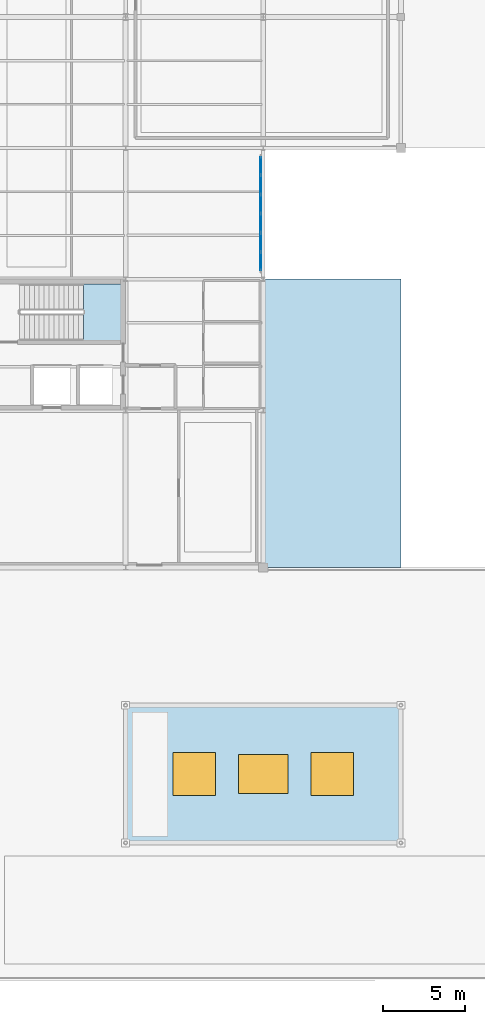
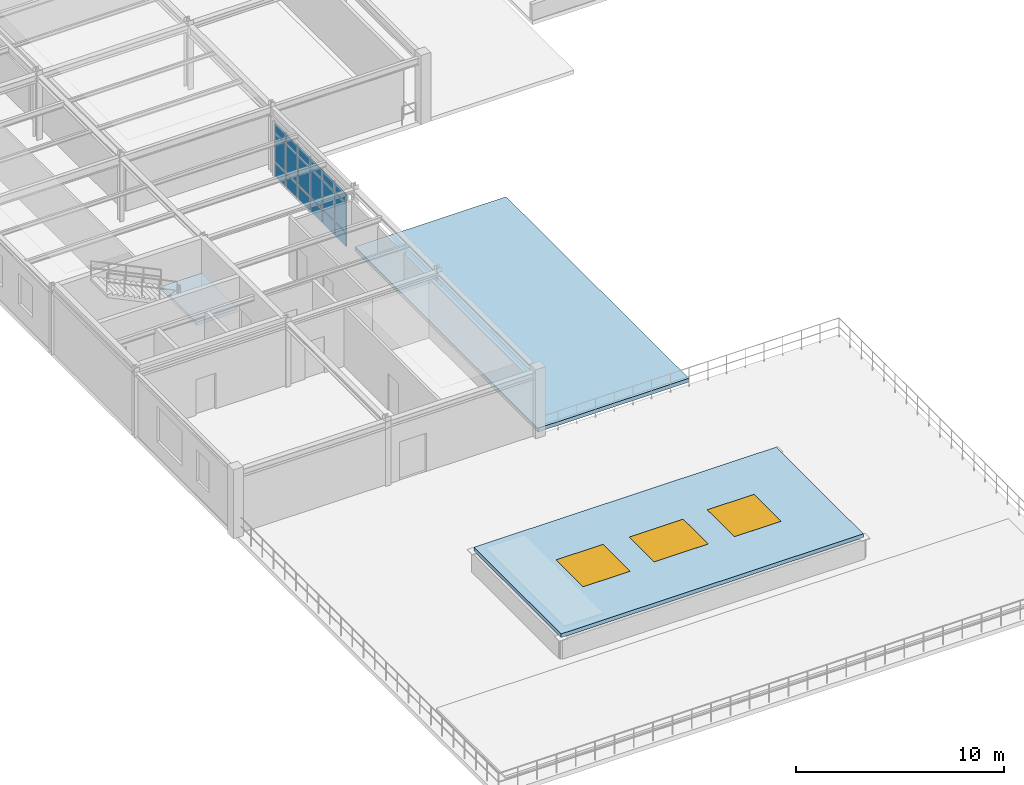
# One storey, part 40 of 70: 18 plates, 3 slabs, 3 windows, 3 openings, 2 elements without a shape of their own.
"""IFC4 building model written with IfcOpenShell, lengths in metres."""

from ifc_helpers import new_model, si_unit, derived_unit, direction, frame, origin, origin_2d, place, context, subcontext, project, spatial, polyline, rectangle, outline, extrude, material, layer, layer_set, type_object, element, fill, aggregate, save


model = new_model("IFC4")

# Units and contexts
model_context = context("Model", 3, precision=1e-05, world=origin(), true_north=direction((0.0, 1.0)))
body_context = subcontext(model_context, "Body", "Model", "MODEL_VIEW")
ifc_project = project(units=[si_unit("LENGTHUNIT", "METRE"), si_unit("AREAUNIT", "SQUARE_METRE"), si_unit("VOLUMEUNIT", "CUBIC_METRE"), si_unit("PLANEANGLEUNIT", "RADIAN"), si_unit("MASSUNIT", "GRAM", prefix="KILO"), derived_unit("THERMALTRANSMITTANCEUNIT", [(si_unit("POWERUNIT", "WATT"), 1), (si_unit("AREAUNIT", "SQUARE_METRE"), -1), (si_unit("THERMODYNAMICTEMPERATUREUNIT", "KELVIN"), -1)])], contexts=[model_context])

# Site, building, storey
site_placement = place(None, origin())
site = spatial("IfcSite", under=ifc_project, at=site_placement, CompositionType="ELEMENT")
building_placement = place(site_placement, origin())
building = spatial("IfcBuilding", under=site, at=building_placement, Name="Yasenodar Specialist Clinic", CompositionType="ELEMENT")
storey_placement = place(building_placement, frame((0.0, 0.0, 13.199951171875)))
storey = spatial("IfcBuildingStorey", under=building, at=storey_placement, Name="L03", CompositionType="ELEMENT", Elevation=13.199951171875)

# Curtain wall, plates
ifc_material_1 = material(Name="Bronze Anodized Aluminium and Triple Low-E Glass", Category="aluminium")
ifc_layer_1 = layer(ifc_material_1, 0.202880859375)
ifc_layer_set_1 = layer_set([ifc_layer_1], Name="Bronze Anodized Aluminium and Triple Low-E Glass")
curtain_wall_type = type_object("IfcCurtainWallType", Name="CW-SYS-04", PredefinedType="USERDEFINED", material=ifc_layer_set_1)
curtain_wall_placement = place(storey_placement, origin())
curtain_wall = element("IfcCurtainWall", 1, at=curtain_wall_placement, inside=storey, type_object=curtain_wall_type, Name="L03 Unitised Curtain Wall 135", ObjectType="UNITISED CURTAIN WALL", PredefinedType="USERDEFINED")
ifc_material_2 = material(Name="Triple Low-E Argon Glazing", Category="glass")
ifc_layer_2 = layer(ifc_material_2, 0.0458984375)
ifc_layer_set_2 = layer_set([ifc_layer_2], Name="Triple Low-E Argon Glazing")
plate_type = type_object("IfcPlateType", Name="CW-PAN-4", PredefinedType="CURTAIN_PANEL", material=ifc_layer_set_2)
plate_1_placement = place(storey_placement, frame((16.64990234375, 49.714599609375, 0.074951171875), z_axis=(0.0, 0.0, 1.0), x_axis=(0.0, -1.0, 0.0)))
plate_1 = element("IfcPlate", 2, at=plate_1_placement, type_object=plate_type, Name="CW-04 panel 1.1", PredefinedType="CURTAIN_PANEL", context=body_context, shape_type="SweptSolid", body=[
    extrude(rectangle(XDim=1.060791015625, YDim=0.0458984375, at=origin_2d()), origin(), (0.0, 0.0, 1.0), 0.78759765625),
])
plate_2_placement = place(storey_placement, frame((16.64990234375, 49.714599609375, 0.9375), z_axis=(0.0, 0.0, 1.0), x_axis=(0.0, -1.0, 0.0)))
plate_2 = element("IfcPlate", 3, at=plate_2_placement, type_object=plate_type, Name="CW-04 panel 1.2", PredefinedType="CURTAIN_PANEL", context=body_context, shape_type="SweptSolid", body=[
    extrude(rectangle(XDim=1.060791015625, YDim=0.0458984375, at=origin_2d()), origin(), (0.0, 0.0, 1.0), 1.653076171875),
])
plate_3_placement = place(storey_placement, frame((16.64990234375, 49.714599609375, 2.66552734375), z_axis=(0.0, 0.0, 1.0), x_axis=(0.0, -1.0, 0.0)))
plate_3 = element("IfcPlate", 4, at=plate_3_placement, type_object=plate_type, Name="CW-04 panel 1.3", PredefinedType="CURTAIN_PANEL", context=body_context, shape_type="SweptSolid", body=[
    extrude(rectangle(XDim=1.060791015625, YDim=0.0458984375, at=origin_2d()), origin(), (0.0, 0.0, 1.0), 0.487548828125),
])
plate_4_placement = place(storey_placement, frame((16.64990234375, 48.56005859375, 0.074951171875), z_axis=(0.0, 0.0, 1.0), x_axis=(0.0, -1.0, 0.0)))
plate_4 = element("IfcPlate", 5, at=plate_4_placement, type_object=plate_type, Name="CW-04 panel 2.1", PredefinedType="CURTAIN_PANEL", context=body_context, shape_type="SweptSolid", body=[
    extrude(rectangle(XDim=1.098388671875, YDim=0.0458984375, at=origin_2d()), origin(), (0.0, 0.0, 1.0), 0.78759765625),
])
plate_5_placement = place(storey_placement, frame((16.64990234375, 48.56005859375, 0.9375), z_axis=(0.0, 0.0, 1.0), x_axis=(0.0, -1.0, 0.0)))
plate_5 = element("IfcPlate", 6, at=plate_5_placement, type_object=plate_type, Name="CW-04 panel 2.2", PredefinedType="CURTAIN_PANEL", context=body_context, shape_type="SweptSolid", body=[
    extrude(rectangle(XDim=1.098388671875, YDim=0.0458984375, at=origin_2d()), origin(), (0.0, 0.0, 1.0), 1.653076171875),
])
plate_6_placement = place(storey_placement, frame((16.64990234375, 48.56005859375, 2.66552734375), z_axis=(0.0, 0.0, 1.0), x_axis=(0.0, -1.0, 0.0)))
plate_6 = element("IfcPlate", 7, at=plate_6_placement, type_object=plate_type, Name="CW-04 panel 2.3", PredefinedType="CURTAIN_PANEL", context=body_context, shape_type="SweptSolid", body=[
    extrude(rectangle(XDim=1.098388671875, YDim=0.0458984375, at=origin_2d()), origin(), (0.0, 0.0, 1.0), 0.487548828125),
])
plate_7_placement = place(storey_placement, frame((16.64990234375, 47.38671875, 0.074951171875), z_axis=(0.0, 0.0, 1.0), x_axis=(0.0, -1.0, 0.0)))
plate_7 = element("IfcPlate", 8, at=plate_7_placement, type_object=plate_type, Name="CW-04 panel 3.1", PredefinedType="CURTAIN_PANEL", context=body_context, shape_type="SweptSolid", body=[
    extrude(rectangle(XDim=1.098388671875, YDim=0.0458984375, at=origin_2d()), origin(), (0.0, 0.0, 1.0), 0.78759765625),
])
plate_8_placement = place(storey_placement, frame((16.64990234375, 47.38671875, 0.9375), z_axis=(0.0, 0.0, 1.0), x_axis=(0.0, -1.0, 0.0)))
plate_8 = element("IfcPlate", 9, at=plate_8_placement, type_object=plate_type, Name="CW-04 panel 3.2", PredefinedType="CURTAIN_PANEL", context=body_context, shape_type="SweptSolid", body=[
    extrude(rectangle(XDim=1.098388671875, YDim=0.0458984375, at=origin_2d()), origin(), (0.0, 0.0, 1.0), 1.653076171875),
])
plate_9_placement = place(storey_placement, frame((16.64990234375, 47.38671875, 2.66552734375), z_axis=(0.0, 0.0, 1.0), x_axis=(0.0, -1.0, 0.0)))
plate_9 = element("IfcPlate", 10, at=plate_9_placement, type_object=plate_type, Name="CW-04 panel 3.3", PredefinedType="CURTAIN_PANEL", context=body_context, shape_type="SweptSolid", body=[
    extrude(rectangle(XDim=1.098388671875, YDim=0.0458984375, at=origin_2d()), origin(), (0.0, 0.0, 1.0), 0.487548828125),
])
plate_10_placement = place(storey_placement, frame((16.64990234375, 46.21337890625, 0.074951171875), z_axis=(0.0, 0.0, 1.0), x_axis=(0.0, -1.0, 0.0)))
plate_10 = element("IfcPlate", 11, at=plate_10_placement, type_object=plate_type, Name="CW-04 panel 4.1", PredefinedType="CURTAIN_PANEL", context=body_context, shape_type="SweptSolid", body=[
    extrude(rectangle(XDim=1.098388671875, YDim=0.0458984375, at=origin_2d()), origin(), (0.0, 0.0, 1.0), 0.78759765625),
])
plate_11_placement = place(storey_placement, frame((16.64990234375, 46.21337890625, 0.9375), z_axis=(0.0, 0.0, 1.0), x_axis=(0.0, -1.0, 0.0)))
plate_11 = element("IfcPlate", 12, at=plate_11_placement, type_object=plate_type, Name="CW-04 panel 4.2", PredefinedType="CURTAIN_PANEL", context=body_context, shape_type="SweptSolid", body=[
    extrude(rectangle(XDim=1.098388671875, YDim=0.0458984375, at=origin_2d()), origin(), (0.0, 0.0, 1.0), 1.653076171875),
])
plate_12_placement = place(storey_placement, frame((16.64990234375, 46.21337890625, 2.66552734375), z_axis=(0.0, 0.0, 1.0), x_axis=(0.0, -1.0, 0.0)))
plate_12 = element("IfcPlate", 13, at=plate_12_placement, type_object=plate_type, Name="CW-04 panel 4.3", PredefinedType="CURTAIN_PANEL", context=body_context, shape_type="SweptSolid", body=[
    extrude(rectangle(XDim=1.098388671875, YDim=0.0458984375, at=origin_2d()), origin(), (0.0, 0.0, 1.0), 0.487548828125),
])
plate_13_placement = place(storey_placement, frame((16.64990234375, 45.0400390625, 0.074951171875), z_axis=(0.0, 0.0, 1.0), x_axis=(0.0, -1.0, 0.0)))
plate_13 = element("IfcPlate", 14, at=plate_13_placement, type_object=plate_type, Name="CW-04 panel 5.1", PredefinedType="CURTAIN_PANEL", context=body_context, shape_type="SweptSolid", body=[
    extrude(rectangle(XDim=1.098388671875, YDim=0.0458984375, at=origin_2d()), origin(), (0.0, 0.0, 1.0), 0.78759765625),
])
plate_14_placement = place(storey_placement, frame((16.64990234375, 45.0400390625, 0.9375), z_axis=(0.0, 0.0, 1.0), x_axis=(0.0, -1.0, 0.0)))
plate_14 = element("IfcPlate", 15, at=plate_14_placement, type_object=plate_type, Name="CW-04 panel 5.2", PredefinedType="CURTAIN_PANEL", context=body_context, shape_type="SweptSolid", body=[
    extrude(rectangle(XDim=1.098388671875, YDim=0.0458984375, at=origin_2d()), origin(), (0.0, 0.0, 1.0), 1.653076171875),
])
plate_15_placement = place(storey_placement, frame((16.64990234375, 45.0400390625, 2.66552734375), z_axis=(0.0, 0.0, 1.0), x_axis=(0.0, -1.0, 0.0)))
plate_15 = element("IfcPlate", 16, at=plate_15_placement, type_object=plate_type, Name="CW-04 panel 5.3", PredefinedType="CURTAIN_PANEL", context=body_context, shape_type="SweptSolid", body=[
    extrude(rectangle(XDim=1.098388671875, YDim=0.0458984375, at=origin_2d()), origin(), (0.0, 0.0, 1.0), 0.487548828125),
])
plate_16_placement = place(storey_placement, frame((16.64990234375, 43.885498046875, 0.074951171875), z_axis=(0.0, 0.0, 1.0), x_axis=(0.0, -1.0, 0.0)))
plate_16 = element("IfcPlate", 17, at=plate_16_placement, type_object=plate_type, Name="CW-04 panel 6.1", PredefinedType="CURTAIN_PANEL", context=body_context, shape_type="SweptSolid", body=[
    extrude(rectangle(XDim=1.060791015625, YDim=0.0458984375, at=origin_2d()), origin(), (0.0, 0.0, 1.0), 0.78759765625),
])
plate_17_placement = place(storey_placement, frame((16.64990234375, 43.885498046875, 0.9375), z_axis=(0.0, 0.0, 1.0), x_axis=(0.0, -1.0, 0.0)))
plate_17 = element("IfcPlate", 18, at=plate_17_placement, type_object=plate_type, Name="CW-04 panel 6.2", PredefinedType="CURTAIN_PANEL", context=body_context, shape_type="SweptSolid", body=[
    extrude(rectangle(XDim=1.060791015625, YDim=0.0458984375, at=origin_2d()), origin(), (0.0, 0.0, 1.0), 1.653076171875),
])
plate_18_placement = place(storey_placement, frame((16.64990234375, 43.885498046875, 2.66552734375), z_axis=(0.0, 0.0, 1.0), x_axis=(0.0, -1.0, 0.0)))
plate_18 = element("IfcPlate", 19, at=plate_18_placement, type_object=plate_type, Name="CW-04 panel 6.3", PredefinedType="CURTAIN_PANEL", context=body_context, shape_type="SweptSolid", body=[
    extrude(rectangle(XDim=1.060791015625, YDim=0.0458984375, at=origin_2d()), origin(), (0.0, 0.0, 1.0), 0.487548828125),
])
aggregate(curtain_wall, [plate_1, plate_2, plate_3, plate_4, plate_5, plate_6, plate_7, plate_8, plate_9, plate_10, plate_11, plate_12, plate_13, plate_14, plate_15, plate_16, plate_17, plate_18])

# Stair, slab
ifc_material_3 = material(Name="Concrete C30/37", Category="concrete")
stair_type = type_object("IfcStairType", Name="ST-DOG-C1-28", PredefinedType="HALF_TURN_STAIR", material=ifc_material_3)
stair_placement = place(storey_placement, origin())
stair = element("IfcStair", 20, at=stair_placement, inside=storey, type_object=stair_type, Name="L03 Core C1 Exit Stair ST-01", PredefinedType="HALF_TURN_STAIR")
ifc_layer_3 = layer(ifc_material_3, 0.199951171875)
ifc_layer_set_3 = layer_set([ifc_layer_3], Name="Concrete C30/37")
slab_type_1 = type_object("IfcSlabType", Name="SLB-LND-200", PredefinedType="LANDING", material=ifc_layer_set_3)
slab_1_placement = place(storey_placement, frame((0.0, 0.0, 1.824951171875)))
slab_1 = element("IfcSlab", 21, at=slab_1_placement, type_object=slab_type_1, Name="ST-01 landing 1", PredefinedType="LANDING", context=body_context, shape_type="SweptSolid", body=[
    extrude(outline(polyline([(5.830078125, 39.06005859375), (8.1201171875, 39.06005859375), (8.1201171875, 42.510009765625), (5.830078125, 42.510009765625), (5.830078125, 39.06005859375)])), origin(), (0.0, 0.0, 1.0), 0.2001953125),
])
aggregate(stair, [slab_1])

# Slab, openings, windows
ifc_layer_4 = layer(ifc_material_3, 0.22509765625)
ifc_layer_set_4 = layer_set([ifc_layer_4], Name="Concrete C30/37")
slab_type_2 = type_object("IfcSlabType", Name="SLB-ROOF-225", PredefinedType="ROOF", material=ifc_layer_set_4)
slab_2_placement = place(storey_placement, frame((0.0, 0.0, 1.175048828125)))
slab_2 = element("IfcSlab", 22, at=slab_2_placement, inside=storey, type_object=slab_type_2, Name="V2 Imaging Skylight Lantern Roof", PredefinedType="ROOF", context=body_context, shape_type="SweptSolid", body=[
    extrude(outline(polyline([(8.39990234375, 8.39990234375), (25.199951171875, 8.39990234375), (25.199951171875, 16.800048828125), (8.39990234375, 16.800048828125), (8.39990234375, 8.39990234375)]), holes=[polyline([(11.300048828125, 11.300048828125), (13.89990234375, 11.300048828125), (13.89990234375, 13.89990234375), (11.300048828125, 13.89990234375), (11.300048828125, 11.300048828125)]), polyline([(15.300048828125, 11.39990234375), (18.300048828125, 11.39990234375), (18.300048828125, 13.800048828125), (15.300048828125, 13.800048828125), (15.300048828125, 11.39990234375)]), polyline([(19.699951171875, 11.300048828125), (22.300048828125, 11.300048828125), (22.300048828125, 13.89990234375), (19.699951171875, 13.89990234375), (19.699951171875, 11.300048828125)])]), origin(), (0.0, 0.0, 1.0), 0.22509765625),
])
opening_1_placement = place(slab_2_placement, frame((12.60009765625, 12.60009765625, -0.010009765625)))
opening_1 = element("IfcOpeningElement", 23, at=opening_1_placement, cuts=slab_2, Name="Opening SK-02", PredefinedType="OPENING", context=body_context, shape_type="SweptSolid", body=[
    extrude(rectangle(XDim=2.60009765625, YDim=2.60009765625, at=origin_2d()), origin(), (0.0, 0.0, 1.0), 0.2451171875),
])
opening_2_placement = place(slab_2_placement, frame((16.800048828125, 12.60009765625, -0.010009765625)))
opening_2 = element("IfcOpeningElement", 24, at=opening_2_placement, cuts=slab_2, Name="Opening SK-03", PredefinedType="OPENING", context=body_context, shape_type="SweptSolid", body=[
    extrude(rectangle(XDim=3.0, YDim=2.39990234375, at=origin_2d()), origin(), (0.0, 0.0, 1.0), 0.2451171875),
])
opening_3_placement = place(slab_2_placement, frame((21.0, 12.60009765625, -0.010009765625)))
opening_3 = element("IfcOpeningElement", 25, at=opening_3_placement, cuts=slab_2, Name="Opening SK-02", PredefinedType="OPENING", context=body_context, shape_type="SweptSolid", body=[
    extrude(rectangle(XDim=2.60009765625, YDim=2.60009765625, at=origin_2d()), origin(), (0.0, 0.0, 1.0), 0.2451171875),
])
ifc_material_4 = material(Name="Triple Laminated Low-E Skylight Glazing", Category="glass")
window_type_1 = type_object("IfcWindowType", Name="SKY-RF-02", PartitioningType="SINGLE_PANEL", PredefinedType="SKYLIGHT", material=ifc_material_4)
window_1_placement = place(slab_2_placement, frame((12.60009765625, 12.60009765625, 0.175048828125)))
window_1 = element("IfcWindow", 26, at=window_1_placement, inside=storey, type_object=window_type_1, Name="L03 Triple-Glazed Roof Skylight 02", OverallHeight=2.60009765625, OverallWidth=2.60009765625, PartitioningType="SINGLE_PANEL", PredefinedType="SKYLIGHT", context=body_context, shape_type="SweptSolid", body=[
    extrude(rectangle(XDim=2.60009765625, YDim=2.60009765625, at=origin_2d()), origin(), (0.0, 0.0, 1.0), 0.050048828125),
])
fill(opening_1, window_1)
window_2_placement = place(slab_2_placement, frame((21.0, 12.60009765625, 0.175048828125)))
window_2 = element("IfcWindow", 27, at=window_2_placement, inside=storey, type_object=window_type_1, Name="L03 Triple-Glazed Roof Skylight 04", OverallHeight=2.60009765625, OverallWidth=2.60009765625, PartitioningType="SINGLE_PANEL", PredefinedType="SKYLIGHT", context=body_context, shape_type="SweptSolid", body=[
    extrude(rectangle(XDim=2.60009765625, YDim=2.60009765625, at=origin_2d()), origin(), (0.0, 0.0, 1.0), 0.050048828125),
])
fill(opening_3, window_2)
window_type_2 = type_object("IfcWindowType", Name="SKY-RF-03", PartitioningType="SINGLE_PANEL", PredefinedType="SKYLIGHT", material=ifc_material_4)
window_3_placement = place(slab_2_placement, frame((16.800048828125, 12.60009765625, 0.175048828125)))
window_3 = element("IfcWindow", 28, at=window_3_placement, inside=storey, type_object=window_type_2, Name="L03 Triple-Glazed Roof Skylight 03", OverallHeight=2.39990234375, OverallWidth=3.0, PartitioningType="SINGLE_PANEL", PredefinedType="SKYLIGHT", context=body_context, shape_type="SweptSolid", body=[
    extrude(rectangle(XDim=3.0, YDim=2.39990234375, at=origin_2d()), origin(), (0.0, 0.0, 1.0), 0.050048828125),
])
fill(opening_2, window_3)

# Slab
slab_3_placement = place(storey_placement, frame((0.0, 0.0, 0.125)))
element("IfcSlab", 29, at=slab_3_placement, inside=storey, type_object=slab_type_2, Name="V4 South Courtyard Setback Roof Slab", PredefinedType="ROOF", context=body_context, shape_type="SweptSolid", body=[
    extrude(outline(polyline([(16.800048828125, 42.800048828125), (25.199951171875, 42.800048828125), (25.199951171875, 25.199951171875), (16.800048828125, 25.199951171875), (16.800048828125, 42.800048828125)])), origin(), (0.0, 0.0, 1.0), 0.22509765625),
])

save(model, "model.ifc")
